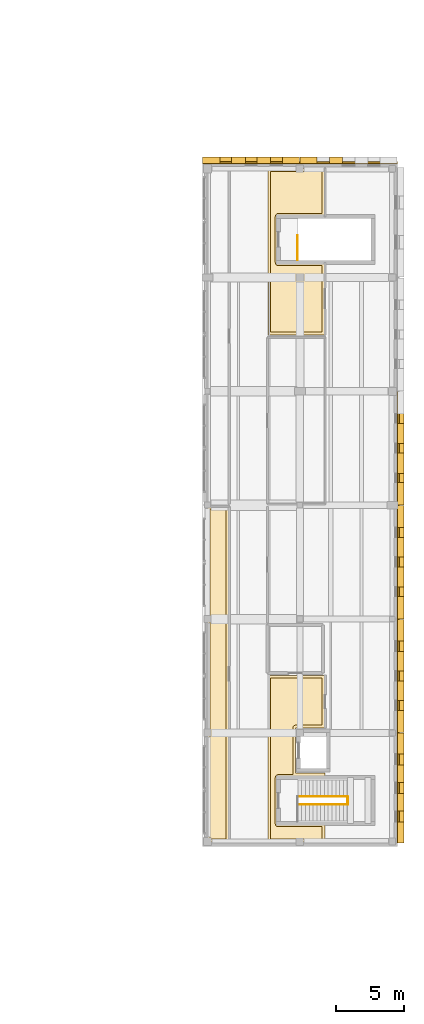
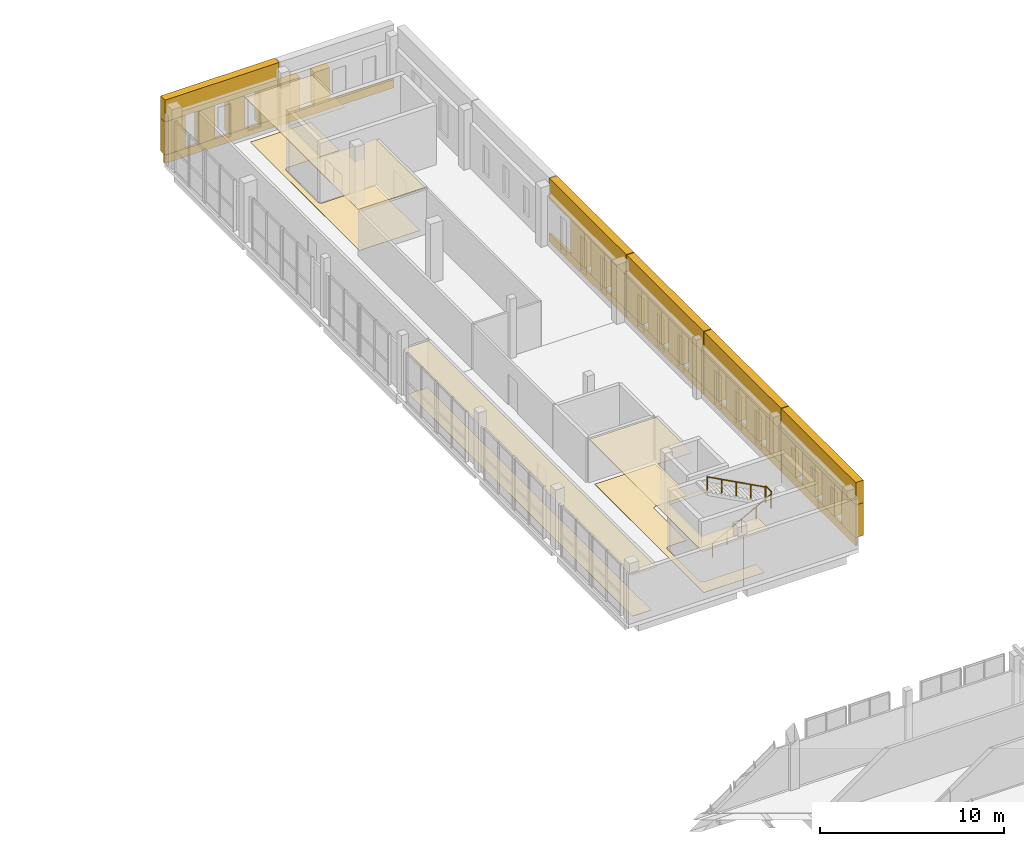
# One storey, part 55 of 56: 38 coverings, 4 railings.
"""IFC4 building model written with IfcOpenShell, lengths in metres."""

from ifc_helpers import new_model, si_unit, direction, frame, origin, origin_2d, place, context, subcontext, project, spatial, polyline, circle, outline, extrude, material, layer, layer_set, type_object, element, save


model = new_model("IFC4")

# Units and contexts
model_context = context("Model", 3, precision=1e-05, world=origin(), true_north=direction((0.0, 1.0)))
body_context = subcontext(model_context, "Body", "Model", "MODEL_VIEW")
ifc_project = project(units=[si_unit("LENGTHUNIT", "METRE"), si_unit("AREAUNIT", "SQUARE_METRE"), si_unit("VOLUMEUNIT", "CUBIC_METRE"), si_unit("PLANEANGLEUNIT", "RADIAN"), si_unit("MASSUNIT", "GRAM", prefix="KILO")], contexts=[model_context])

# Site, building, storey
site_placement = place(None, origin())
site = spatial("IfcSite", under=ifc_project, at=site_placement, CompositionType="ELEMENT")
building_placement = place(site_placement, origin())
building = spatial("IfcBuilding", under=site, at=building_placement, Name="Vardoun Plaza Health Centre", CompositionType="ELEMENT")
storey_placement = place(building_placement, frame((0.0, 0.0, 8.699951171875)))
storey = spatial("IfcBuildingStorey", under=building, at=storey_placement, Name="L02", CompositionType="ELEMENT", Elevation=8.699951171875)

# Coverings
ifc_material_1 = material(Name="Hygienic Acoustic Mineral-Fibre Ceiling", Category="concrete")
ifc_layer_1 = layer(ifc_material_1, 0.02490234375)
ifc_layer_set_1 = layer_set([ifc_layer_1], Name="Hygienic Acoustic Mineral-Fibre Ceiling")
covering_type_1 = type_object("IfcCoveringType", Name="CL-01", PredefinedType="CEILING", material=ifc_layer_set_1)
covering_1_placement = place(storey_placement, frame((0.0, 0.0, 2.91015625)))
element("IfcCovering", 1, at=covering_1_placement, inside=storey, type_object=covering_type_1, Name="Mental Health Counselling Room 2 Acoustic Ceiling", PredefinedType="CEILING", context=body_context, shape_type="SweptSolid", body=[
    extrude(outline(polyline([(152.8701171875, 36.659912109375), (151.260009765625, 36.659912109375), (151.260009765625, 61.409912109375), (152.8701171875, 61.409912109375), (152.8701171875, 36.659912109375)])), origin(), (0.0, 0.0, 1.0), 0.02490234375),
])
covering_2_placement = place(storey_placement, frame((0.0, 0.0, 2.91015625)))
element("IfcCovering", 2, at=covering_2_placement, inside=storey, type_object=covering_type_1, Name="Rehabilitation Gym and Physiotherapy Acoustic Ceiling", PredefinedType="CEILING", context=body_context, shape_type="SweptSolid", body=[
    extrude(outline(polyline([(159.949951171875, 86.340087890625), (159.949951171875, 82.81005859375), (156.5, 82.81005859375), (156.4990234375, 82.81005859375), (156.498046875, 82.809814453125), (156.4970703125, 82.8095703125), (156.49609375, 82.80908203125), (156.495361328125, 82.808837890625), (156.494384765625, 82.808349609375), (156.49365234375, 82.8076171875), (156.492919921875, 82.80712890625), (156.4921875, 82.806396484375), (156.49169921875, 82.8056640625), (156.4912109375, 82.8046875), (156.49072265625, 82.8037109375), (156.490478515625, 82.802978515625), (156.490234375, 82.802001953125), (156.489990234375, 82.801025390625), (156.489990234375, 82.800048828125), (156.489990234375, 79.39990234375), (156.489990234375, 79.39892578125), (156.490234375, 79.39794921875), (156.490478515625, 79.397216796875), (156.49072265625, 79.396240234375), (156.4912109375, 79.395263671875), (156.49169921875, 79.394287109375), (156.4921875, 79.393798828125), (156.492919921875, 79.392822265625), (156.49365234375, 79.392333984375), (156.494384765625, 79.3916015625), (156.495361328125, 79.39111328125), (156.49609375, 79.390869140625), (156.4970703125, 79.390380859375), (156.498046875, 79.39013671875), (156.4990234375, 79.389892578125), (156.5, 79.389892578125), (159.949951171875, 79.389892578125), (159.949951171875, 74.054931640625), (155.72998046875, 74.054931640625), (155.72998046875, 86.340087890625), (159.949951171875, 86.340087890625)])), origin(), (0.0, 0.0, 1.0), 0.02490234375),
])
covering_3_placement = place(storey_placement, frame((0.0, 0.0, 2.91015625)))
element("IfcCovering", 3, at=covering_3_placement, inside=storey, type_object=covering_type_1, Name="Mental Health Counselling Room 1 A Acoustic Ceiling", PredefinedType="CEILING", context=body_context, shape_type="SweptSolid", body=[
    extrude(outline(polyline([(159.949951171875, 45.06005859375), (157.800048828125, 45.06005859375), (157.799072265625, 45.06005859375), (157.798095703125, 45.059814453125), (157.797119140625, 45.0595703125), (157.796142578125, 45.05908203125), (157.79541015625, 45.058837890625), (157.79443359375, 45.058349609375), (157.793701171875, 45.0576171875), (157.79296875, 45.05712890625), (157.792236328125, 45.056396484375), (157.791748046875, 45.0556640625), (157.791259765625, 45.0546875), (157.790771484375, 45.0537109375), (157.790283203125, 45.052978515625), (157.790283203125, 45.052001953125), (157.7900390625, 45.051025390625), (157.7900390625, 45.050048828125), (157.7900390625, 41.75), (157.7900390625, 41.7490234375), (157.790283203125, 41.748046875), (157.790283203125, 41.7470703125), (157.790771484375, 41.74609375), (157.791259765625, 41.745361328125), (157.791748046875, 41.744384765625), (157.792236328125, 41.74365234375), (157.79296875, 41.742919921875), (157.793701171875, 41.7421875), (157.79443359375, 41.74169921875), (157.79541015625, 41.7412109375), (157.796142578125, 41.74072265625), (157.797119140625, 41.740478515625), (157.798095703125, 41.740234375), (157.799072265625, 41.739990234375), (157.800048828125, 41.739990234375), (159.949951171875, 41.739990234375), (159.949951171875, 41.409912109375), (156.5, 41.409912109375), (156.4990234375, 41.409912109375), (156.498046875, 41.409912109375), (156.4970703125, 41.40966796875), (156.49609375, 41.4091796875), (156.495361328125, 41.40869140625), (156.494384765625, 41.408203125), (156.49365234375, 41.40771484375), (156.492919921875, 41.406982421875), (156.4921875, 41.40625), (156.49169921875, 41.405517578125), (156.4912109375, 41.40478515625), (156.49072265625, 41.40380859375), (156.490478515625, 41.40283203125), (156.490234375, 41.402099609375), (156.489990234375, 41.40087890625), (156.489990234375, 41.39990234375), (156.489990234375, 38.0), (156.489990234375, 37.9990234375), (156.490234375, 37.998046875), (156.490478515625, 37.9970703125), (156.49072265625, 37.99609375), (156.4912109375, 37.995361328125), (156.49169921875, 37.994384765625), (156.4921875, 37.99365234375), (156.492919921875, 37.992919921875), (156.49365234375, 37.9921875), (156.494384765625, 37.99169921875), (156.495361328125, 37.9912109375), (156.49609375, 37.99072265625), (156.4970703125, 37.990478515625), (156.498046875, 37.990234375), (156.4990234375, 37.989990234375), (156.5, 37.989990234375), (159.949951171875, 37.989990234375), (159.949951171875, 36.659912109375), (155.72998046875, 36.659912109375), (155.72998046875, 48.945068359375), (159.949951171875, 48.945068359375), (159.949951171875, 45.06005859375)])), origin(), (0.0, 0.0, 1.0), 0.02490234375),
])
ifc_material_2 = material(Name="Pale Limestone Concrete C35/45", Category="masonry")
ifc_layer_2 = layer(ifc_material_2, 0.080078125)
ifc_layer_set_2 = layer_set([ifc_layer_2], Name="Pale Limestone Concrete C35/45")
covering_type_2 = type_object("IfcCoveringType", Name="CL-EXT1", PredefinedType="CLADDING", material=ifc_layer_set_2)
covering_4_placement = place(storey_placement, origin())
element("IfcCovering", 4, at=covering_4_placement, inside=storey, type_object=covering_type_2, Name="V6 L02 Pale Concrete Sill Band 1334", PredefinedType="CLADDING", context=body_context, shape_type="SweptSolid", body=[
    extrude(outline(polyline([(150.919921875, 86.699951171875), (158.080078125, 86.699951171875), (158.080078125, 86.840087890625), (150.919921875, 86.840087890625), (150.919921875, 86.699951171875)])), origin(), (0.0, 0.0, 1.0), 0.550048828125),
])
covering_5_placement = place(storey_placement, frame((0.0, 0.0, 2.75)))
element("IfcCovering", 5, at=covering_5_placement, inside=storey, type_object=covering_type_2, Name="V6 L02 Sculpted Concrete Eyebrow Hood 1335", PredefinedType="CLADDING", context=body_context, shape_type="SweptSolid", body=[
    extrude(outline(polyline([(150.919921875, 86.699951171875), (158.080078125, 86.699951171875), (158.080078125, 87.179931640625), (150.919921875, 87.179931640625), (150.919921875, 86.699951171875)])), origin(), (0.0, 0.0, 1.0), 1.449951171875),
])
covering_6_placement = place(storey_placement, frame((0.0, 0.0, 0.550048828125)))
element("IfcCovering", 6, at=covering_6_placement, inside=storey, type_object=covering_type_2, Name="V6 L02 Deep-Punched Slot Concrete Reveal Pier 1336", PredefinedType="CLADDING", context=body_context, shape_type="SweptSolid", body=[
    extrude(outline(polyline([(150.919921875, 86.699951171875), (152.197998046875, 86.699951171875), (152.197998046875, 87.179931640625), (150.919921875, 87.179931640625), (150.919921875, 86.699951171875)])), origin(), (0.0, 0.0, 1.0), 2.199951171875),
])
covering_7_placement = place(storey_placement, frame((0.0, 0.0, 0.550048828125)))
element("IfcCovering", 7, at=covering_7_placement, inside=storey, type_object=covering_type_2, Name="V6 L02 Deep-Punched Slot Concrete Reveal Pier 1337", PredefinedType="CLADDING", context=body_context, shape_type="SweptSolid", body=[
    extrude(outline(polyline([(153.05810546875, 86.699951171875), (154.070068359375, 86.699951171875), (154.070068359375, 87.179931640625), (153.05810546875, 87.179931640625), (153.05810546875, 86.699951171875)])), origin(), (0.0, 0.0, 1.0), 2.199951171875),
])
covering_8_placement = place(storey_placement, frame((0.0, 0.0, 0.550048828125)))
element("IfcCovering", 8, at=covering_8_placement, inside=storey, type_object=covering_type_2, Name="V6 L02 Deep-Punched Slot Concrete Reveal Pier 1338", PredefinedType="CLADDING", context=body_context, shape_type="SweptSolid", body=[
    extrude(outline(polyline([(154.929931640625, 86.699951171875), (155.94189453125, 86.699951171875), (155.94189453125, 87.179931640625), (154.929931640625, 87.179931640625), (154.929931640625, 86.699951171875)])), origin(), (0.0, 0.0, 1.0), 2.199951171875),
])
covering_9_placement = place(storey_placement, frame((0.0, 0.0, 0.550048828125)))
element("IfcCovering", 9, at=covering_9_placement, inside=storey, type_object=covering_type_2, Name="V6 L02 Deep-Punched Slot Concrete Reveal Pier 1339", PredefinedType="CLADDING", context=body_context, shape_type="SweptSolid", body=[
    extrude(outline(polyline([(156.802001953125, 86.699951171875), (158.080078125, 86.699951171875), (158.080078125, 87.179931640625), (156.802001953125, 87.179931640625), (156.802001953125, 86.699951171875)])), origin(), (0.0, 0.0, 1.0), 2.199951171875),
])
covering_10_placement = place(storey_placement, origin())
element("IfcCovering", 10, at=covering_10_placement, inside=storey, type_object=covering_type_2, Name="V6 L02 Pale Concrete Sill Band 1340", PredefinedType="CLADDING", context=body_context, shape_type="SweptSolid", body=[
    extrude(outline(polyline([(158.1201171875, 86.699951171875), (165.280029296875, 86.699951171875), (165.280029296875, 86.840087890625), (158.1201171875, 86.840087890625), (158.1201171875, 86.699951171875)])), origin(), (0.0, 0.0, 1.0), 0.550048828125),
])
covering_11_placement = place(storey_placement, frame((0.0, 0.0, 0.550048828125)))
element("IfcCovering", 11, at=covering_11_placement, inside=storey, type_object=covering_type_2, Name="V6 L02 Deep-Punched Slot Concrete Reveal Pier 1342", PredefinedType="CLADDING", context=body_context, shape_type="SweptSolid", body=[
    extrude(outline(polyline([(158.1201171875, 86.699951171875), (159.3779296875, 86.699951171875), (159.3779296875, 87.179931640625), (158.1201171875, 87.179931640625), (158.1201171875, 86.699951171875)])), origin(), (0.0, 0.0, 1.0), 2.199951171875),
])
covering_12_placement = place(storey_placement, frame((0.0, 0.0, 0.550048828125)))
element("IfcCovering", 12, at=covering_12_placement, inside=storey, type_object=covering_type_2, Name="V6 L02 Deep-Punched Slot Concrete Reveal Pier 1343", PredefinedType="CLADDING", context=body_context, shape_type="SweptSolid", body=[
    extrude(outline(polyline([(160.278076171875, 86.699951171875), (161.25, 86.699951171875), (161.25, 87.179931640625), (160.278076171875, 87.179931640625), (160.278076171875, 86.699951171875)])), origin(), (0.0, 0.0, 1.0), 2.199951171875),
])
covering_13_placement = place(storey_placement, origin())
element("IfcCovering", 13, at=covering_13_placement, inside=storey, type_object=covering_type_2, Name="V6 L02 Pale Concrete Sill Band 1357", PredefinedType="CLADDING", context=body_context, shape_type="SweptSolid", body=[
    extrude(outline(polyline([(165.300048828125, 69.8798828125), (165.300048828125, 61.52001953125), (165.43994140625, 61.52001953125), (165.43994140625, 69.8798828125), (165.300048828125, 69.8798828125)])), origin(), (0.0, 0.0, 1.0), 0.550048828125),
])
covering_14_placement = place(storey_placement, frame((0.0, 0.0, 2.830078125)))
element("IfcCovering", 14, at=covering_14_placement, inside=storey, type_object=covering_type_2, Name="V6 L02 Sculpted Concrete Eyebrow Hood 1358", PredefinedType="CLADDING", context=body_context, shape_type="SweptSolid", body=[
    extrude(outline(polyline([(165.300048828125, 69.8798828125), (165.300048828125, 61.52001953125), (165.780029296875, 61.52001953125), (165.780029296875, 69.8798828125), (165.300048828125, 69.8798828125)])), origin(), (0.0, 0.0, 1.0), 1.369873046875),
])
covering_15_placement = place(storey_placement, frame((0.0, 0.0, 0.550048828125)))
element("IfcCovering", 15, at=covering_15_placement, inside=storey, type_object=covering_type_2, Name="V6 L02 Deep-Punched Slot Concrete Reveal Pier 1360", PredefinedType="CLADDING", context=body_context, shape_type="SweptSolid", body=[
    extrude(outline(polyline([(165.300048828125, 67.5439453125), (165.300048828125, 66.0400390625), (165.780029296875, 66.0400390625), (165.780029296875, 67.5439453125), (165.300048828125, 67.5439453125)])), origin(), (0.0, 0.0, 1.0), 2.280029296875),
])
covering_16_placement = place(storey_placement, frame((0.0, 0.0, 0.550048828125)))
element("IfcCovering", 16, at=covering_16_placement, inside=storey, type_object=covering_type_2, Name="V6 L02 Deep-Punched Slot Concrete Reveal Pier 1361", PredefinedType="CLADDING", context=body_context, shape_type="SweptSolid", body=[
    extrude(outline(polyline([(165.300048828125, 65.360107421875), (165.300048828125, 63.85595703125), (165.780029296875, 63.85595703125), (165.780029296875, 65.360107421875), (165.300048828125, 65.360107421875)])), origin(), (0.0, 0.0, 1.0), 2.280029296875),
])
covering_17_placement = place(storey_placement, frame((0.0, 0.0, 0.550048828125)))
element("IfcCovering", 17, at=covering_17_placement, inside=storey, type_object=covering_type_2, Name="V6 L02 Deep-Punched Slot Concrete Reveal Pier 1362", PredefinedType="CLADDING", context=body_context, shape_type="SweptSolid", body=[
    extrude(outline(polyline([(165.300048828125, 63.176025390625), (165.300048828125, 61.52001953125), (165.780029296875, 61.52001953125), (165.780029296875, 63.176025390625), (165.300048828125, 63.176025390625)])), origin(), (0.0, 0.0, 1.0), 2.280029296875),
])
covering_18_placement = place(storey_placement, origin())
element("IfcCovering", 18, at=covering_18_placement, inside=storey, type_object=covering_type_2, Name="V6 L02 Pale Concrete Sill Band 1363", PredefinedType="CLADDING", context=body_context, shape_type="SweptSolid", body=[
    extrude(outline(polyline([(165.300048828125, 61.47998046875), (165.300048828125, 53.1201171875), (165.43994140625, 53.1201171875), (165.43994140625, 61.47998046875), (165.300048828125, 61.47998046875)])), origin(), (0.0, 0.0, 1.0), 0.550048828125),
])
covering_19_placement = place(storey_placement, frame((0.0, 0.0, 2.77001953125)))
element("IfcCovering", 19, at=covering_19_placement, inside=storey, type_object=covering_type_2, Name="V6 L02 Sculpted Concrete Eyebrow Hood 1364", PredefinedType="CLADDING", context=body_context, shape_type="SweptSolid", body=[
    extrude(outline(polyline([(165.300048828125, 61.47998046875), (165.300048828125, 53.1201171875), (165.780029296875, 53.1201171875), (165.780029296875, 61.47998046875), (165.300048828125, 61.47998046875)])), origin(), (0.0, 0.0, 1.0), 1.429931640625),
])
covering_20_placement = place(storey_placement, frame((0.0, 0.0, 0.550048828125)))
element("IfcCovering", 20, at=covering_20_placement, inside=storey, type_object=covering_type_2, Name="V6 L02 Deep-Punched Slot Concrete Reveal Pier 1365", PredefinedType="CLADDING", context=body_context, shape_type="SweptSolid", body=[
    extrude(outline(polyline([(165.300048828125, 61.47998046875), (165.300048828125, 59.843994140625), (165.780029296875, 59.843994140625), (165.780029296875, 61.47998046875), (165.300048828125, 61.47998046875)])), origin(), (0.0, 0.0, 1.0), 2.219970703125),
])
covering_21_placement = place(storey_placement, frame((0.0, 0.0, 0.550048828125)))
element("IfcCovering", 21, at=covering_21_placement, inside=storey, type_object=covering_type_2, Name="V6 L02 Deep-Punched Slot Concrete Reveal Pier 1366", PredefinedType="CLADDING", context=body_context, shape_type="SweptSolid", body=[
    extrude(outline(polyline([(165.300048828125, 59.1240234375), (165.300048828125, 57.659912109375), (165.780029296875, 57.659912109375), (165.780029296875, 59.1240234375), (165.300048828125, 59.1240234375)])), origin(), (0.0, 0.0, 1.0), 2.219970703125),
])
covering_22_placement = place(storey_placement, frame((0.0, 0.0, 0.550048828125)))
element("IfcCovering", 22, at=covering_22_placement, inside=storey, type_object=covering_type_2, Name="V6 L02 Deep-Punched Slot Concrete Reveal Pier 1367", PredefinedType="CLADDING", context=body_context, shape_type="SweptSolid", body=[
    extrude(outline(polyline([(165.300048828125, 56.93994140625), (165.300048828125, 55.47607421875), (165.780029296875, 55.47607421875), (165.780029296875, 56.93994140625), (165.300048828125, 56.93994140625)])), origin(), (0.0, 0.0, 1.0), 2.219970703125),
])
covering_23_placement = place(storey_placement, frame((0.0, 0.0, 0.550048828125)))
element("IfcCovering", 23, at=covering_23_placement, inside=storey, type_object=covering_type_2, Name="V6 L02 Deep-Punched Slot Concrete Reveal Pier 1368", PredefinedType="CLADDING", context=body_context, shape_type="SweptSolid", body=[
    extrude(outline(polyline([(165.300048828125, 54.756103515625), (165.300048828125, 53.1201171875), (165.780029296875, 53.1201171875), (165.780029296875, 54.756103515625), (165.300048828125, 54.756103515625)])), origin(), (0.0, 0.0, 1.0), 2.219970703125),
])
covering_24_placement = place(storey_placement, origin())
element("IfcCovering", 24, at=covering_24_placement, inside=storey, type_object=covering_type_2, Name="V6 L02 Pale Concrete Sill Band 1369", PredefinedType="CLADDING", context=body_context, shape_type="SweptSolid", body=[
    extrude(outline(polyline([(165.300048828125, 53.080078125), (165.300048828125, 44.719970703125), (165.43994140625, 44.719970703125), (165.43994140625, 53.080078125), (165.300048828125, 53.080078125)])), origin(), (0.0, 0.0, 1.0), 0.550048828125),
])
covering_25_placement = place(storey_placement, frame((0.0, 0.0, 2.77001953125)))
element("IfcCovering", 25, at=covering_25_placement, inside=storey, type_object=covering_type_2, Name="V6 L02 Sculpted Concrete Eyebrow Hood 1370", PredefinedType="CLADDING", context=body_context, shape_type="SweptSolid", body=[
    extrude(outline(polyline([(165.300048828125, 53.080078125), (165.300048828125, 44.719970703125), (165.780029296875, 44.719970703125), (165.780029296875, 53.080078125), (165.300048828125, 53.080078125)])), origin(), (0.0, 0.0, 1.0), 1.429931640625),
])
covering_26_placement = place(storey_placement, frame((0.0, 0.0, 0.550048828125)))
element("IfcCovering", 26, at=covering_26_placement, inside=storey, type_object=covering_type_2, Name="V6 L02 Deep-Punched Slot Concrete Reveal Pier 1371", PredefinedType="CLADDING", context=body_context, shape_type="SweptSolid", body=[
    extrude(outline(polyline([(165.300048828125, 53.080078125), (165.300048828125, 51.464111328125), (165.780029296875, 51.464111328125), (165.780029296875, 53.080078125), (165.300048828125, 53.080078125)])), origin(), (0.0, 0.0, 1.0), 2.219970703125),
])
covering_27_placement = place(storey_placement, frame((0.0, 0.0, 0.550048828125)))
element("IfcCovering", 27, at=covering_27_placement, inside=storey, type_object=covering_type_2, Name="V6 L02 Deep-Punched Slot Concrete Reveal Pier 1372", PredefinedType="CLADDING", context=body_context, shape_type="SweptSolid", body=[
    extrude(outline(polyline([(165.300048828125, 50.7041015625), (165.300048828125, 49.280029296875), (165.780029296875, 49.280029296875), (165.780029296875, 50.7041015625), (165.300048828125, 50.7041015625)])), origin(), (0.0, 0.0, 1.0), 2.219970703125),
])
covering_28_placement = place(storey_placement, frame((0.0, 0.0, 0.550048828125)))
element("IfcCovering", 28, at=covering_28_placement, inside=storey, type_object=covering_type_2, Name="V6 L02 Deep-Punched Slot Concrete Reveal Pier 1373", PredefinedType="CLADDING", context=body_context, shape_type="SweptSolid", body=[
    extrude(outline(polyline([(165.300048828125, 48.52001953125), (165.300048828125, 47.095947265625), (165.780029296875, 47.095947265625), (165.780029296875, 48.52001953125), (165.300048828125, 48.52001953125)])), origin(), (0.0, 0.0, 1.0), 2.219970703125),
])
covering_29_placement = place(storey_placement, frame((0.0, 0.0, 0.550048828125)))
element("IfcCovering", 29, at=covering_29_placement, inside=storey, type_object=covering_type_2, Name="V6 L02 Deep-Punched Slot Concrete Reveal Pier 1374", PredefinedType="CLADDING", context=body_context, shape_type="SweptSolid", body=[
    extrude(outline(polyline([(165.300048828125, 46.3359375), (165.300048828125, 44.719970703125), (165.780029296875, 44.719970703125), (165.780029296875, 46.3359375), (165.300048828125, 46.3359375)])), origin(), (0.0, 0.0, 1.0), 2.219970703125),
])
covering_30_placement = place(storey_placement, origin())
element("IfcCovering", 30, at=covering_30_placement, inside=storey, type_object=covering_type_2, Name="V6 L02 Pale Concrete Sill Band 1375", PredefinedType="CLADDING", context=body_context, shape_type="SweptSolid", body=[
    extrude(outline(polyline([(165.300048828125, 44.679931640625), (165.300048828125, 36.5849609375), (165.43994140625, 36.5849609375), (165.43994140625, 44.679931640625), (165.300048828125, 44.679931640625)])), origin(), (0.0, 0.0, 1.0), 0.550048828125),
])
covering_31_placement = place(storey_placement, frame((0.0, 0.0, 2.7099609375)))
element("IfcCovering", 31, at=covering_31_placement, inside=storey, type_object=covering_type_2, Name="V6 L02 Sculpted Concrete Eyebrow Hood 1376", PredefinedType="CLADDING", context=body_context, shape_type="SweptSolid", body=[
    extrude(outline(polyline([(165.300048828125, 44.679931640625), (165.300048828125, 36.5849609375), (165.780029296875, 36.5849609375), (165.780029296875, 44.679931640625), (165.300048828125, 44.679931640625)])), origin(), (0.0, 0.0, 1.0), 1.489990234375),
])
covering_32_placement = place(storey_placement, frame((0.0, 0.0, 0.550048828125)))
element("IfcCovering", 32, at=covering_32_placement, inside=storey, type_object=covering_type_2, Name="V6 L02 Deep-Punched Slot Concrete Reveal Pier 1377", PredefinedType="CLADDING", context=body_context, shape_type="SweptSolid", body=[
    extrude(outline(polyline([(165.300048828125, 44.679931640625), (165.300048828125, 43.147705078125), (165.780029296875, 43.147705078125), (165.780029296875, 44.679931640625), (165.300048828125, 44.679931640625)])), origin(), (0.0, 0.0, 1.0), 2.159912109375),
])
covering_33_placement = place(storey_placement, frame((0.0, 0.0, 0.550048828125)))
element("IfcCovering", 33, at=covering_33_placement, inside=storey, type_object=covering_type_2, Name="V6 L02 Deep-Punched Slot Concrete Reveal Pier 1378", PredefinedType="CLADDING", context=body_context, shape_type="SweptSolid", body=[
    extrude(outline(polyline([(165.300048828125, 42.34765625), (165.300048828125, 41.032470703125), (165.780029296875, 41.032470703125), (165.780029296875, 42.34765625), (165.300048828125, 42.34765625)])), origin(), (0.0, 0.0, 1.0), 2.159912109375),
])
covering_34_placement = place(storey_placement, frame((0.0, 0.0, 0.550048828125)))
element("IfcCovering", 34, at=covering_34_placement, inside=storey, type_object=covering_type_2, Name="V6 L02 Deep-Punched Slot Concrete Reveal Pier 1379", PredefinedType="CLADDING", context=body_context, shape_type="SweptSolid", body=[
    extrude(outline(polyline([(165.300048828125, 40.232421875), (165.300048828125, 38.91748046875), (165.780029296875, 38.91748046875), (165.780029296875, 40.232421875), (165.300048828125, 40.232421875)])), origin(), (0.0, 0.0, 1.0), 2.159912109375),
])
covering_35_placement = place(storey_placement, frame((0.0, 0.0, 0.550048828125)))
element("IfcCovering", 35, at=covering_35_placement, inside=storey, type_object=covering_type_2, Name="V6 L02 Deep-Punched Slot Concrete Reveal Pier 1380", PredefinedType="CLADDING", context=body_context, shape_type="SweptSolid", body=[
    extrude(outline(polyline([(165.300048828125, 38.117431640625), (165.300048828125, 36.5849609375), (165.780029296875, 36.5849609375), (165.780029296875, 38.117431640625), (165.300048828125, 38.117431640625)])), origin(), (0.0, 0.0, 1.0), 2.159912109375),
])
ifc_material_3 = material(Name="Seamless Conductive Clinical Vinyl Flooring", Category="concrete")
ifc_layer_3 = layer(ifc_material_3, 0.014892578125)
ifc_layer_set_3 = layer_set([ifc_layer_3], Name="Seamless Conductive Clinical Vinyl Flooring")
covering_type_3 = type_object("IfcCoveringType", Name="FL-01", PredefinedType="FLOORING", material=ifc_layer_set_3)
covering_36_placement = place(storey_placement, origin())
element("IfcCovering", 36, at=covering_36_placement, inside=storey, type_object=covering_type_3, Name="Mental Health Counselling Room 2 Floor Finish", PredefinedType="FLOORING", context=body_context, shape_type="SweptSolid", body=[
    extrude(outline(polyline([(152.659912109375, 36.8701171875), (151.469970703125, 36.8701171875), (151.469970703125, 61.199951171875), (152.659912109375, 61.199951171875), (152.659912109375, 36.8701171875)])), origin(), (0.0, 0.0, 1.0), 0.01513671875),
])
covering_37_placement = place(storey_placement, origin())
element("IfcCovering", 37, at=covering_37_placement, inside=storey, type_object=covering_type_3, Name="Rehabilitation Gym and Physiotherapy Floor Finish", PredefinedType="FLOORING", context=body_context, shape_type="SweptSolid", body=[
    extrude(outline(polyline([(159.739990234375, 86.1298828125), (159.739990234375, 83.02001953125), (156.5, 83.02001953125), (156.478515625, 83.018798828125), (156.45703125, 83.015869140625), (156.43603515625, 83.010498046875), (156.415771484375, 83.00341796875), (156.396240234375, 82.993896484375), (156.377685546875, 82.98291015625), (156.3603515625, 82.97021484375), (156.344482421875, 82.95556640625), (156.329833984375, 82.939697265625), (156.317138671875, 82.922119140625), (156.305908203125, 82.90380859375), (156.296630859375, 82.88427734375), (156.28955078125, 82.864013671875), (156.2841796875, 82.843017578125), (156.281005859375, 82.821533203125), (156.280029296875, 82.800048828125), (156.280029296875, 79.39990234375), (156.281005859375, 79.37841796875), (156.2841796875, 79.357177734375), (156.28955078125, 79.336181640625), (156.296630859375, 79.31591796875), (156.305908203125, 79.29638671875), (156.317138671875, 79.27783203125), (156.329833984375, 79.260498046875), (156.344482421875, 79.244384765625), (156.3603515625, 79.22998046875), (156.377685546875, 79.217041015625), (156.396240234375, 79.2060546875), (156.415771484375, 79.19677734375), (156.43603515625, 79.189453125), (156.45703125, 79.18408203125), (156.478515625, 79.18115234375), (156.5, 79.179931640625), (159.739990234375, 79.179931640625), (159.739990234375, 74.264892578125), (155.93994140625, 74.264892578125), (155.93994140625, 86.1298828125), (159.739990234375, 86.1298828125)])), origin(), (0.0, 0.0, 1.0), 0.01513671875),
])
covering_38_placement = place(storey_placement, origin())
element("IfcCovering", 38, at=covering_38_placement, inside=storey, type_object=covering_type_3, Name="Mental Health Counselling Room 1 A Floor Finish", PredefinedType="FLOORING", context=body_context, shape_type="SweptSolid", body=[
    extrude(outline(polyline([(157.622802734375, 41.6201171875), (156.5, 41.6201171875), (156.478515625, 41.618896484375), (156.45703125, 41.61572265625), (156.43603515625, 41.610595703125), (156.415771484375, 41.603271484375), (156.396240234375, 41.593994140625), (156.377685546875, 41.5830078125), (156.3603515625, 41.570068359375), (156.344482421875, 41.5556640625), (156.329833984375, 41.53955078125), (156.317138671875, 41.522216796875), (156.305908203125, 41.503662109375), (156.296630859375, 41.484130859375), (156.28955078125, 41.4638671875), (156.2841796875, 41.44287109375), (156.281005859375, 41.421630859375), (156.280029296875, 41.39990234375), (156.280029296875, 38.0), (156.281005859375, 37.978515625), (156.2841796875, 37.95703125), (156.28955078125, 37.93603515625), (156.296630859375, 37.915771484375), (156.305908203125, 37.896240234375), (156.317138671875, 37.877685546875), (156.329833984375, 37.8603515625), (156.344482421875, 37.844482421875), (156.3603515625, 37.829833984375), (156.377685546875, 37.817138671875), (156.396240234375, 37.805908203125), (156.415771484375, 37.796630859375), (156.43603515625, 37.78955078125), (156.45703125, 37.7841796875), (156.478515625, 37.781005859375), (156.5, 37.780029296875), (159.739990234375, 37.780029296875), (159.739990234375, 36.8701171875), (155.93994140625, 36.8701171875), (155.93994140625, 48.735107421875), (159.739990234375, 48.735107421875), (159.739990234375, 45.27001953125), (157.800048828125, 45.27001953125), (157.7783203125, 45.268798828125), (157.757080078125, 45.265869140625), (157.736083984375, 45.260498046875), (157.7158203125, 45.25341796875), (157.6962890625, 45.243896484375), (157.677734375, 45.23291015625), (157.660400390625, 45.22021484375), (157.644287109375, 45.20556640625), (157.6298828125, 45.189697265625), (157.6171875, 45.172119140625), (157.60595703125, 45.15380859375), (157.5966796875, 45.13427734375), (157.589599609375, 45.114013671875), (157.584228515625, 45.093017578125), (157.5810546875, 45.071533203125), (157.580078125, 45.050048828125), (157.580078125, 41.75), (157.5810546875, 41.728515625), (157.584228515625, 41.70703125), (157.589599609375, 41.68603515625), (157.5966796875, 41.665771484375), (157.60595703125, 41.646240234375), (157.6171875, 41.627685546875), (157.622802734375, 41.6201171875)])), origin(), (0.0, 0.0, 1.0), 0.01513671875),
])

# Railings
ifc_material_4 = material(Name="Painted Steel S275JR Stair-Well Guardrail", Category="steel")
railing_type_1 = type_object("IfcRailingType", Name="GR-04", PredefinedType="GUARDRAIL", material=ifc_material_4)
railing_1_placement = place(storey_placement, frame((161.6298828125, 39.405029296875, 2.10009765625)))
element("IfcRailing", 39, at=railing_1_placement, inside=storey, type_object=railing_type_1, Name="Stair ST-C10-L02 Mid-Landing Well Guard", PredefinedType="GUARDRAIL", context=body_context, shape_type="SweptSolid", body=[
    extrude(circle(Radius=0.02392578125, at=origin_2d()), frame((0.0, 0.0, 1.09619140625), z_axis=(0.0, 1.0, 0.0), x_axis=(-1.0, 0.0, 0.0)), (0.0, 0.0, 1.0), 0.590087890625),
    extrude(circle(Radius=0.02099609375, at=origin_2d()), origin(), (0.0, 0.0, 1.0), 1.072021484375),
    extrude(circle(Radius=0.02099609375, at=origin_2d()), frame((0.0, 0.590087890625, 0.0)), (0.0, 0.0, 1.0), 1.072021484375),
])
railing_2_placement = place(storey_placement, frame((157.909912109375, 79.580078125, 0.0)))
element("IfcRailing", 40, at=railing_2_placement, inside=storey, type_object=railing_type_1, Name="Stair ST-C11-L01 Upper Landing Well Guard", PredefinedType="GUARDRAIL", context=body_context, shape_type="SweptSolid", body=[
    extrude(circle(Radius=0.02392578125, at=origin_2d()), frame((0.0, 0.0, 1.09619140625), z_axis=(0.0, 1.0, 0.0), x_axis=(-1.0, 0.0, 0.0)), (0.0, 0.0, 1.0), 1.81494140625),
    extrude(circle(Radius=0.02099609375, at=origin_2d()), origin(), (0.0, 0.0, 1.0), 1.072021484375),
    extrude(circle(Radius=0.02099609375, at=origin_2d()), frame((0.0, 0.907470703125, 0.0)), (0.0, 0.0, 1.0), 1.072021484375),
    extrude(circle(Radius=0.02099609375, at=origin_2d()), frame((0.0, 1.81494140625, 0.0)), (0.0, 0.0, 1.0), 1.072021484375),
])
ifc_material_5 = material(Name="Brushed Stainless Steel Grade 316L", Category="steel")
railing_type_2 = type_object("IfcRailingType", Name="HR-01", PredefinedType="HANDRAIL", material=ifc_material_5)
railing_3_placement = place(storey_placement, frame((157.949951171875, 39.405029296875, 0.150146484375)))
element("IfcRailing", 41, at=railing_3_placement, inside=storey, type_object=railing_type_2, Name="Stair ST-C10-L02 Flight 1 Handrail", PredefinedType="HANDRAIL", context=body_context, shape_type="SweptSolid", body=[
    extrude(circle(Radius=0.02392578125, at=origin_2d()), frame((0.0, 0.0, 0.89599609375), z_axis=(0.881492274372, 0.0, 0.472198443689), x_axis=(0.0, 1.0, 0.0)), (0.0, 0.0, 1.0), 4.12939453125),
    extrude(circle(Radius=0.02099609375, at=origin_2d()), origin(), (0.0, 0.0, 1.0), 0.871826171875),
    extrude(circle(Radius=0.02099609375, at=origin_2d()), frame((0.91015625, 0.0, 0.487548828125)), (0.0, 0.0, 1.0), 0.871826171875),
    extrude(circle(Radius=0.02099609375, at=origin_2d()), frame((1.820068359375, 0.0, 0.97509765625)), (0.0, 0.0, 1.0), 0.871826171875),
    extrude(circle(Radius=0.02099609375, at=origin_2d()), frame((2.72998046875, 0.0, 1.46240234375)), (0.0, 0.0, 1.0), 0.871826171875),
    extrude(circle(Radius=0.02099609375, at=origin_2d()), frame((3.64013671875, 0.0, 1.949951171875)), (0.0, 0.0, 1.0), 0.871826171875),
])
railing_4_placement = place(storey_placement, frame((161.590087890625, 39.9951171875, 2.25)))
element("IfcRailing", 42, at=railing_4_placement, inside=storey, type_object=railing_type_2, Name="Stair ST-C10-L02 Flight 2 Handrail", PredefinedType="HANDRAIL", context=body_context, shape_type="SweptSolid", body=[
    extrude(circle(Radius=0.02392578125, at=origin_2d()), frame((0.0, 0.0, 0.89599609375), z_axis=(-0.881492274372, 0.0, 0.472198443689), x_axis=(0.0, -1.0, 0.0)), (0.0, 0.0, 1.0), 4.12939453125),
    extrude(circle(Radius=0.02099609375, at=origin_2d()), origin(), (0.0, 0.0, 1.0), 0.871826171875),
    extrude(circle(Radius=0.02099609375, at=origin_2d()), frame((-0.91015625, 0.0, 0.487548828125)), (0.0, 0.0, 1.0), 0.871826171875),
    extrude(circle(Radius=0.02099609375, at=origin_2d()), frame((-1.820068359375, 0.0, 0.97509765625)), (0.0, 0.0, 1.0), 0.871826171875),
    extrude(circle(Radius=0.02099609375, at=origin_2d()), frame((-2.72998046875, 0.0, 1.46240234375)), (0.0, 0.0, 1.0), 0.871826171875),
    extrude(circle(Radius=0.02099609375, at=origin_2d()), frame((-3.64013671875, 0.0, 1.949951171875)), (0.0, 0.0, 1.0), 0.871826171875),
])

save(model, "model.ifc")
